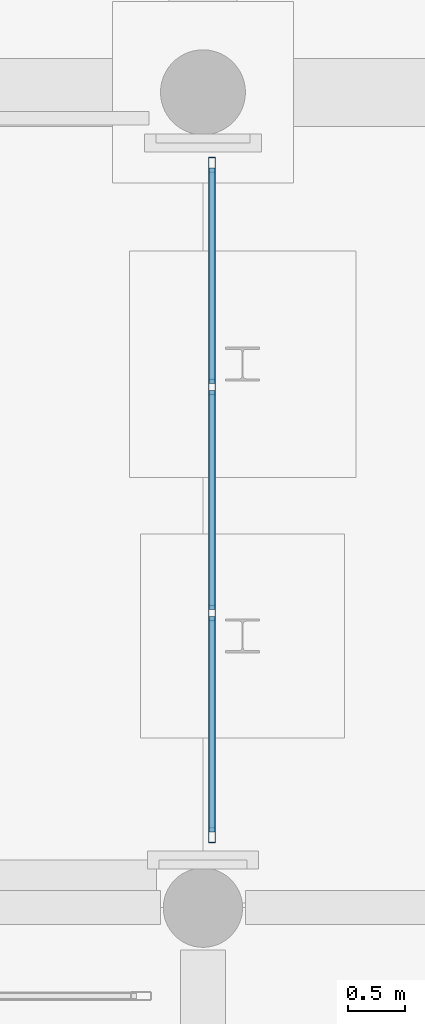
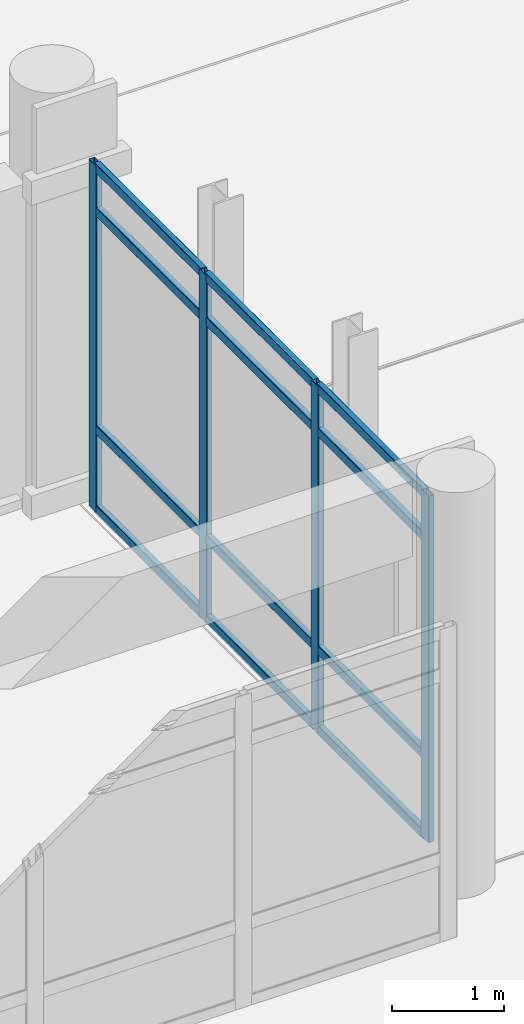
# One storey, part 85 of 196: 16 members, 1 element without a shape of its own.
"""IFC4 building model written with IfcOpenShell, lengths in metres."""

from ifc_helpers import new_model, si_unit, direction, frame, origin, origin_2d, place, context, subcontext, project, spatial, hollow_rectangle, extrude, material, layer, layer_set, material_profile, profile_set, type_object, element, aggregate, save


model = new_model("IFC4")

# Units and contexts
model_context = context("Model", 3, precision=1e-05, world=origin(), true_north=direction((0.0, 1.0)))
body_context = subcontext(model_context, "Body", "Model", "MODEL_VIEW")
ifc_project = project(units=[si_unit("LENGTHUNIT", "METRE"), si_unit("AREAUNIT", "SQUARE_METRE"), si_unit("VOLUMEUNIT", "CUBIC_METRE"), si_unit("PLANEANGLEUNIT", "RADIAN"), si_unit("MASSUNIT", "GRAM", prefix="KILO")], contexts=[model_context])

# Site, building, storey
site_placement = place(None, origin())
site = spatial("IfcSite", under=ifc_project, at=site_placement, CompositionType="ELEMENT")
building_placement = place(site_placement, origin())
building = spatial("IfcBuilding", under=site, at=building_placement, Name="Asteropetra Specialist Clinic", CompositionType="ELEMENT")
storey_placement = place(building_placement, origin())
storey = spatial("IfcBuildingStorey", under=building, at=storey_placement, Name="L00", CompositionType="ELEMENT", Elevation=0.0)

# Curtain wall, members
ifc_material_1 = material(Name="Aluminium and low-E glass", Category="aluminium")
ifc_layer = layer(ifc_material_1, 0.14990234375)
ifc_layer_set = layer_set([ifc_layer], Name="Aluminium and low-E glass")
curtain_wall_type = type_object("IfcCurtainWallType", Name="CW-SYS-08", PredefinedType="USERDEFINED", material=ifc_layer_set)
curtain_wall_placement = place(storey_placement, origin())
curtain_wall = element("IfcCurtainWall", 1, at=curtain_wall_placement, inside=storey, type_object=curtain_wall_type, Name="Curtain Wall CW-101", ObjectType="STICK GLAZED COLONNADE", PredefinedType="USERDEFINED")
ifc_material_2 = material(Name="Aluminium 6063-T6", Category="aluminium")
ifc_material_profile_1 = material_profile(ifc_material_2, hollow_rectangle(XDim=0.06005859375, YDim=0.135009765625, WallThickness=0.00341796875, InnerFilletRadius=0.00341796875, OuterFilletRadius=0.007080078125, at=origin_2d()), Name="MUL 135x60x3.5")
ifc_profile_set_1 = profile_set([ifc_material_profile_1], Name="Aluminium 6063-T6")
member_type_1 = type_object("IfcMemberType", Name="CWM-135x60", PredefinedType="MULLION", material=ifc_profile_set_1)
member_1_placement = place(storey_placement, frame((9.679931640625, 63.0400390625, 0.0), z_axis=(0.0, 0.0, 1.0), x_axis=(-1.0, 0.0, 0.0)))
member_1 = element("IfcMember", 2, at=member_1_placement, type_object=member_type_1, Name="CW-101 mullion 1", PredefinedType="MULLION", context=body_context, shape_type="SweptSolid", body=[
    extrude(hollow_rectangle(XDim=0.06005859375, YDim=0.135009765625, WallThickness=0.00341796875, InnerFilletRadius=0.00341796875, OuterFilletRadius=0.007080078125, at=origin_2d()), origin(), (0.0, 0.0, 1.0), 3.77001953125),
])
member_2_placement = place(storey_placement, frame((9.679931640625, 65.00341796875, 0.0), z_axis=(0.0, 0.0, 1.0), x_axis=(-1.0, 0.0, 0.0)))
member_2 = element("IfcMember", 3, at=member_2_placement, type_object=member_type_1, Name="CW-101 mullion 2", PredefinedType="MULLION", context=body_context, shape_type="SweptSolid", body=[
    extrude(hollow_rectangle(XDim=0.06005859375, YDim=0.135009765625, WallThickness=0.00341796875, InnerFilletRadius=0.00341796875, OuterFilletRadius=0.007080078125, at=origin_2d()), origin(), (0.0, 0.0, 1.0), 3.77001953125),
])
member_3_placement = place(storey_placement, frame((9.679931640625, 66.99658203125, 0.0), z_axis=(0.0, 0.0, 1.0), x_axis=(-1.0, 0.0, 0.0)))
member_3 = element("IfcMember", 4, at=member_3_placement, type_object=member_type_1, Name="CW-101 mullion 3", PredefinedType="MULLION", context=body_context, shape_type="SweptSolid", body=[
    extrude(hollow_rectangle(XDim=0.06005859375, YDim=0.135009765625, WallThickness=0.00341796875, InnerFilletRadius=0.00341796875, OuterFilletRadius=0.007080078125, at=origin_2d()), origin(), (0.0, 0.0, 1.0), 3.77001953125),
])
member_4_placement = place(storey_placement, frame((9.679931640625, 68.9599609375, 0.0), z_axis=(0.0, 0.0, 1.0), x_axis=(-1.0, 0.0, 0.0)))
member_4 = element("IfcMember", 5, at=member_4_placement, type_object=member_type_1, Name="CW-101 mullion 4", PredefinedType="MULLION", context=body_context, shape_type="SweptSolid", body=[
    extrude(hollow_rectangle(XDim=0.06005859375, YDim=0.135009765625, WallThickness=0.00341796875, InnerFilletRadius=0.00341796875, OuterFilletRadius=0.007080078125, at=origin_2d()), origin(), (0.0, 0.0, 1.0), 3.77001953125),
])
ifc_material_3 = material(Name="Aluminium 6063-T6", Category="aluminium")
ifc_material_profile_2 = material_profile(ifc_material_3, hollow_rectangle(XDim=0.06005859375, YDim=0.10009765625, WallThickness=0.00341796875, InnerFilletRadius=0.00341796875, OuterFilletRadius=0.007080078125, at=origin_2d()), Name="TRN 100x60x3.5")
ifc_profile_set_2 = profile_set([ifc_material_profile_2], Name="Aluminium 6063-T6")
member_type_2 = type_object("IfcMemberType", Name="CWT-100x60", PredefinedType="USERDEFINED", material=ifc_profile_set_2)
member_5_placement = place(storey_placement, frame((9.679931640625, 63.070068359375, 0.030029296875), z_axis=(0.0, 1.0, 0.0), x_axis=(-1.0, 0.0, 0.0)))
member_5 = element("IfcMember", 6, at=member_5_placement, type_object=member_type_2, Name="CW-101 transom 1.1", ObjectType="TRANSOM", PredefinedType="USERDEFINED", context=body_context, shape_type="SweptSolid", body=[
    extrude(hollow_rectangle(XDim=0.06005859375, YDim=0.10009765625, WallThickness=0.00341796875, InnerFilletRadius=0.00341796875, OuterFilletRadius=0.007080078125, at=origin_2d()), origin(), (0.0, 0.0, 1.0), 1.9033203125),
])
member_6_placement = place(storey_placement, frame((9.679931640625, 63.070068359375, 0.89990234375), z_axis=(0.0, 1.0, 0.0), x_axis=(-1.0, 0.0, 0.0)))
member_6 = element("IfcMember", 7, at=member_6_placement, type_object=member_type_2, Name="CW-101 transom 1.2", ObjectType="TRANSOM", PredefinedType="USERDEFINED", context=body_context, shape_type="SweptSolid", body=[
    extrude(hollow_rectangle(XDim=0.06005859375, YDim=0.10009765625, WallThickness=0.00341796875, InnerFilletRadius=0.00341796875, OuterFilletRadius=0.007080078125, at=origin_2d()), origin(), (0.0, 0.0, 1.0), 1.9033203125),
])
member_7_placement = place(storey_placement, frame((9.679931640625, 63.070068359375, 3.27001953125), z_axis=(0.0, 1.0, 0.0), x_axis=(-1.0, 0.0, 0.0)))
member_7 = element("IfcMember", 8, at=member_7_placement, type_object=member_type_2, Name="CW-101 transom 1.3", ObjectType="TRANSOM", PredefinedType="USERDEFINED", context=body_context, shape_type="SweptSolid", body=[
    extrude(hollow_rectangle(XDim=0.06005859375, YDim=0.10009765625, WallThickness=0.00341796875, InnerFilletRadius=0.00341796875, OuterFilletRadius=0.007080078125, at=origin_2d()), origin(), (0.0, 0.0, 1.0), 1.9033203125),
])
member_8_placement = place(storey_placement, frame((9.679931640625, 63.070068359375, 3.739990234375), z_axis=(0.0, 1.0, 0.0), x_axis=(-1.0, 0.0, 0.0)))
member_8 = element("IfcMember", 9, at=member_8_placement, type_object=member_type_2, Name="CW-101 transom 1.4", ObjectType="TRANSOM", PredefinedType="USERDEFINED", context=body_context, shape_type="SweptSolid", body=[
    extrude(hollow_rectangle(XDim=0.06005859375, YDim=0.10009765625, WallThickness=0.00341796875, InnerFilletRadius=0.00341796875, OuterFilletRadius=0.007080078125, at=origin_2d()), origin(), (0.0, 0.0, 1.0), 1.9033203125),
])
member_9_placement = place(storey_placement, frame((9.679931640625, 65.033447265625, 0.030029296875), z_axis=(0.0, 1.0, 0.0), x_axis=(-1.0, 0.0, 0.0)))
member_9 = element("IfcMember", 10, at=member_9_placement, type_object=member_type_2, Name="CW-101 transom 2.1", ObjectType="TRANSOM", PredefinedType="USERDEFINED", context=body_context, shape_type="SweptSolid", body=[
    extrude(hollow_rectangle(XDim=0.06005859375, YDim=0.10009765625, WallThickness=0.00341796875, InnerFilletRadius=0.00341796875, OuterFilletRadius=0.007080078125, at=origin_2d()), origin(), (0.0, 0.0, 1.0), 1.93310546875),
])
member_10_placement = place(storey_placement, frame((9.679931640625, 65.033447265625, 0.89990234375), z_axis=(0.0, 1.0, 0.0), x_axis=(-1.0, 0.0, 0.0)))
member_10 = element("IfcMember", 11, at=member_10_placement, type_object=member_type_2, Name="CW-101 transom 2.2", ObjectType="TRANSOM", PredefinedType="USERDEFINED", context=body_context, shape_type="SweptSolid", body=[
    extrude(hollow_rectangle(XDim=0.06005859375, YDim=0.10009765625, WallThickness=0.00341796875, InnerFilletRadius=0.00341796875, OuterFilletRadius=0.007080078125, at=origin_2d()), origin(), (0.0, 0.0, 1.0), 1.93310546875),
])
member_11_placement = place(storey_placement, frame((9.679931640625, 65.033447265625, 3.27001953125), z_axis=(0.0, 1.0, 0.0), x_axis=(-1.0, 0.0, 0.0)))
member_11 = element("IfcMember", 12, at=member_11_placement, type_object=member_type_2, Name="CW-101 transom 2.3", ObjectType="TRANSOM", PredefinedType="USERDEFINED", context=body_context, shape_type="SweptSolid", body=[
    extrude(hollow_rectangle(XDim=0.06005859375, YDim=0.10009765625, WallThickness=0.00341796875, InnerFilletRadius=0.00341796875, OuterFilletRadius=0.007080078125, at=origin_2d()), origin(), (0.0, 0.0, 1.0), 1.93310546875),
])
member_12_placement = place(storey_placement, frame((9.679931640625, 65.033447265625, 3.739990234375), z_axis=(0.0, 1.0, 0.0), x_axis=(-1.0, 0.0, 0.0)))
member_12 = element("IfcMember", 13, at=member_12_placement, type_object=member_type_2, Name="CW-101 transom 2.4", ObjectType="TRANSOM", PredefinedType="USERDEFINED", context=body_context, shape_type="SweptSolid", body=[
    extrude(hollow_rectangle(XDim=0.06005859375, YDim=0.10009765625, WallThickness=0.00341796875, InnerFilletRadius=0.00341796875, OuterFilletRadius=0.007080078125, at=origin_2d()), origin(), (0.0, 0.0, 1.0), 1.93310546875),
])
member_13_placement = place(storey_placement, frame((9.679931640625, 67.026611328125, 0.030029296875), z_axis=(0.0, 1.0, 0.0), x_axis=(-1.0, 0.0, 0.0)))
member_13 = element("IfcMember", 14, at=member_13_placement, type_object=member_type_2, Name="CW-101 transom 3.1", ObjectType="TRANSOM", PredefinedType="USERDEFINED", context=body_context, shape_type="SweptSolid", body=[
    extrude(hollow_rectangle(XDim=0.06005859375, YDim=0.10009765625, WallThickness=0.00341796875, InnerFilletRadius=0.00341796875, OuterFilletRadius=0.007080078125, at=origin_2d()), origin(), (0.0, 0.0, 1.0), 1.9033203125),
])
member_14_placement = place(storey_placement, frame((9.679931640625, 67.026611328125, 0.89990234375), z_axis=(0.0, 1.0, 0.0), x_axis=(-1.0, 0.0, 0.0)))
member_14 = element("IfcMember", 15, at=member_14_placement, type_object=member_type_2, Name="CW-101 transom 3.2", ObjectType="TRANSOM", PredefinedType="USERDEFINED", context=body_context, shape_type="SweptSolid", body=[
    extrude(hollow_rectangle(XDim=0.06005859375, YDim=0.10009765625, WallThickness=0.00341796875, InnerFilletRadius=0.00341796875, OuterFilletRadius=0.007080078125, at=origin_2d()), origin(), (0.0, 0.0, 1.0), 1.9033203125),
])
member_15_placement = place(storey_placement, frame((9.679931640625, 67.026611328125, 3.27001953125), z_axis=(0.0, 1.0, 0.0), x_axis=(-1.0, 0.0, 0.0)))
member_15 = element("IfcMember", 16, at=member_15_placement, type_object=member_type_2, Name="CW-101 transom 3.3", ObjectType="TRANSOM", PredefinedType="USERDEFINED", context=body_context, shape_type="SweptSolid", body=[
    extrude(hollow_rectangle(XDim=0.06005859375, YDim=0.10009765625, WallThickness=0.00341796875, InnerFilletRadius=0.00341796875, OuterFilletRadius=0.007080078125, at=origin_2d()), origin(), (0.0, 0.0, 1.0), 1.9033203125),
])
member_16_placement = place(storey_placement, frame((9.679931640625, 67.026611328125, 3.739990234375), z_axis=(0.0, 1.0, 0.0), x_axis=(-1.0, 0.0, 0.0)))
member_16 = element("IfcMember", 17, at=member_16_placement, type_object=member_type_2, Name="CW-101 transom 3.4", ObjectType="TRANSOM", PredefinedType="USERDEFINED", context=body_context, shape_type="SweptSolid", body=[
    extrude(hollow_rectangle(XDim=0.06005859375, YDim=0.10009765625, WallThickness=0.00341796875, InnerFilletRadius=0.00341796875, OuterFilletRadius=0.007080078125, at=origin_2d()), origin(), (0.0, 0.0, 1.0), 1.9033203125),
])
aggregate(curtain_wall, [member_1, member_2, member_3, member_4, member_5, member_6, member_7, member_8, member_9, member_10, member_11, member_12, member_13, member_14, member_15, member_16])

save(model, "model.ifc")
